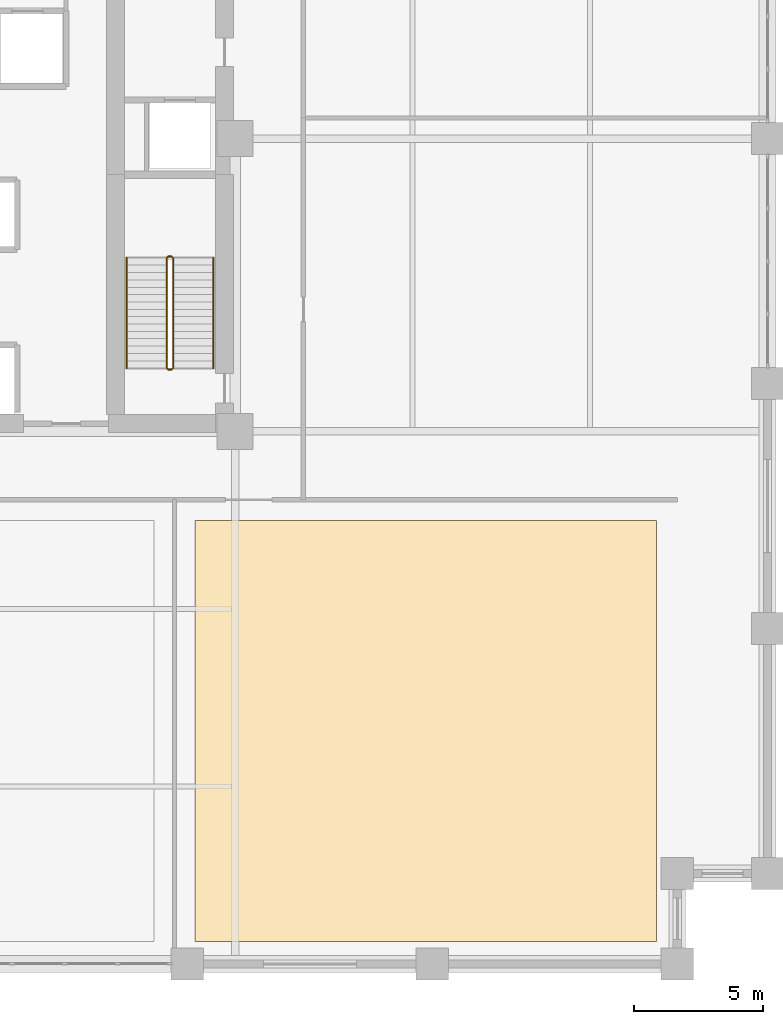
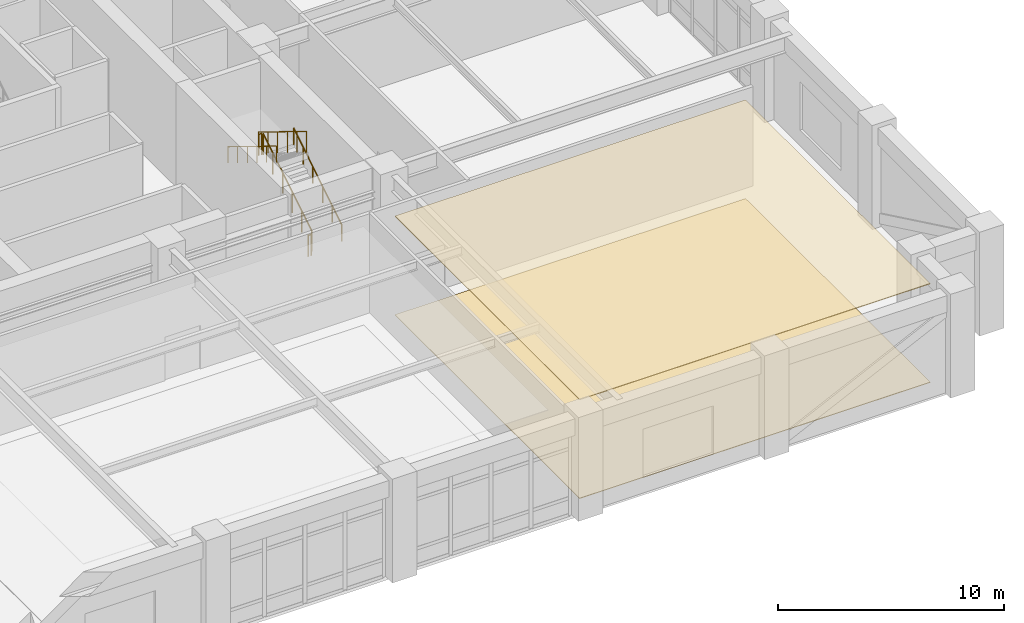
# One storey, part 18 of 21: 6 railings, 2 coverings.
"""IFC4 building model written with IfcOpenShell, lengths in metres."""

from ifc_helpers import new_model, si_unit, direction, frame, origin, origin_2d, place, context, subcontext, project, spatial, polyline, circle, outline, extrude, material, layer, layer_set, type_object, element, save


model = new_model("IFC4")

# Units and contexts
model_context = context("Model", 3, precision=1e-05, world=origin(), true_north=direction((0.0, 1.0)))
body_context = subcontext(model_context, "Body", "Model", "MODEL_VIEW")
ifc_project = project(units=[si_unit("LENGTHUNIT", "METRE"), si_unit("AREAUNIT", "SQUARE_METRE"), si_unit("VOLUMEUNIT", "CUBIC_METRE"), si_unit("PLANEANGLEUNIT", "RADIAN"), si_unit("MASSUNIT", "GRAM", prefix="KILO")], contexts=[model_context])

# Site, building, storey
site_placement = place(None, origin())
site = spatial("IfcSite", under=ifc_project, at=site_placement, CompositionType="ELEMENT")
building_placement = place(site_placement, origin())
building = spatial("IfcBuilding", under=site, at=building_placement, Name="Nhamokura Convention Tower", CompositionType="ELEMENT")
storey_placement = place(building_placement, frame((0.0, 0.0, 12.25)))
storey = spatial("IfcBuildingStorey", under=building, at=storey_placement, Name="L02", CompositionType="ELEMENT", Elevation=12.25)

# Coverings
ifc_material_1 = material(Name="Anodised bronze aluminium ceiling baffle", Category="aluminium")
ifc_layer_1 = layer(ifc_material_1, 0.0400390625)
ifc_layer_set_1 = layer_set([ifc_layer_1], Name="BronzeBaffleCeiling_40")
covering_type_1 = type_object("IfcCoveringType", Name="BronzeBaffleCeiling_40", PredefinedType="CEILING", material=ifc_layer_set_1)
covering_1_placement = place(storey_placement, frame((0.0, 0.0, 5.320068359375)))
element("IfcCovering", 1, at=covering_1_placement, inside=storey, type_object=covering_type_1, Name="L02 Suspended Ceiling 04", PredefinedType="CEILING", context=body_context, shape_type="SweptSolid", body=[
    extrude(outline(polyline([(41.800048828125, 0.860107421875), (59.699951171875, 0.860107421875), (59.699951171875, 17.199951171875), (41.800048828125, 17.199951171875), (41.800048828125, 0.860107421875)])), origin(), (0.0, 0.0, 1.0), 0.0400390625),
])
ifc_material_2 = material(Name="Polished Sabana granite terrazzo", Category="masonry")
ifc_layer_2 = layer(ifc_material_2, 0.030029296875)
ifc_layer_set_2 = layer_set([ifc_layer_2], Name="SabanaTerrazzoFlooring_30")
covering_type_2 = type_object("IfcCoveringType", Name="SabanaTerrazzoFlooring_30", PredefinedType="FLOORING", material=ifc_layer_set_2)
covering_2_placement = place(storey_placement, origin())
element("IfcCovering", 2, at=covering_2_placement, inside=storey, type_object=covering_type_2, Name="L02 Finish Flooring 04", PredefinedType="FLOORING", context=body_context, shape_type="SweptSolid", body=[
    extrude(outline(polyline([(41.800048828125, 0.860107421875), (59.699951171875, 0.860107421875), (59.699951171875, 17.199951171875), (41.800048828125, 17.199951171875), (41.800048828125, 0.860107421875)])), origin(), (0.0, 0.0, 1.0), 0.030029296875),
])

# Railings
ifc_material_3 = material(Name="Anodised bronze stainless steel", Category="steel")
railing_type_1 = type_object("IfcRailingType", Name="StairWallHandrail_900", PredefinedType="HANDRAIL", material=ifc_material_3)
railing_1_placement = place(storey_placement, frame((42.5, 23.10009765625, 0.175048828125)))
element("IfcRailing", 3, at=railing_1_placement, inside=storey, type_object=railing_type_1, Name="L02 ST-02 stair handrail 1", PredefinedType="HANDRAIL", context=body_context, shape_type="SweptSolid", body=[
    extrude(circle(Radius=0.02392578125, at=origin_2d()), frame((0.0, 0.0, 0.8759765625), z_axis=(0.0, 0.852165895541, 0.523271713813), x_axis=(-1.0, 0.0, 0.0)), (0.0, 0.0, 1.0), 5.0166015625),
    extrude(circle(Radius=0.02099609375, at=origin_2d()), origin(), (0.0, 0.0, 1.0), 0.851806640625),
    extrude(circle(Radius=0.02099609375, at=origin_2d()), frame((0.0, 0.85498046875, 0.52490234375)), (0.0, 0.0, 1.0), 0.851806640625),
    extrude(circle(Radius=0.02099609375, at=origin_2d()), frame((0.0, 1.7099609375, 1.050048828125)), (0.0, 0.0, 1.0), 0.851806640625),
    extrude(circle(Radius=0.02099609375, at=origin_2d()), frame((0.0, 2.56494140625, 1.574951171875)), (0.0, 0.0, 1.0), 0.851806640625),
    extrude(circle(Radius=0.02099609375, at=origin_2d()), frame((0.0, 3.419921875, 2.10009765625)), (0.0, 0.0, 1.0), 0.851806640625),
    extrude(circle(Radius=0.02099609375, at=origin_2d()), frame((0.0, 4.27490234375, 2.625)), (0.0, 0.0, 1.0), 0.851806640625),
])
railing_2_placement = place(storey_placement, frame((39.14990234375, 27.375, 2.97509765625)))
element("IfcRailing", 4, at=railing_2_placement, inside=storey, type_object=railing_type_1, Name="L02 ST-02 stair handrail 2", PredefinedType="HANDRAIL", context=body_context, shape_type="SweptSolid", body=[
    extrude(circle(Radius=0.02392578125, at=origin_2d()), frame((0.0, 0.0, 0.8759765625), z_axis=(0.0, -0.852165895541, 0.523271713813), x_axis=(1.0, 0.0, 0.0)), (0.0, 0.0, 1.0), 5.0166015625),
    extrude(circle(Radius=0.02099609375, at=origin_2d()), origin(), (0.0, 0.0, 1.0), 0.851806640625),
    extrude(circle(Radius=0.02099609375, at=origin_2d()), frame((0.0, -0.85498046875, 0.52490234375)), (0.0, 0.0, 1.0), 0.851806640625),
    extrude(circle(Radius=0.02099609375, at=origin_2d()), frame((0.0, -1.7099609375, 1.050048828125)), (0.0, 0.0, 1.0), 0.851806640625),
    extrude(circle(Radius=0.02099609375, at=origin_2d()), frame((0.0, -2.56494140625, 1.574951171875)), (0.0, 0.0, 1.0), 0.851806640625),
    extrude(circle(Radius=0.02099609375, at=origin_2d()), frame((0.0, -3.419921875, 2.10009765625)), (0.0, 0.0, 1.0), 0.851806640625),
    extrude(circle(Radius=0.02099609375, at=origin_2d()), frame((0.0, -4.27490234375, 2.625)), (0.0, 0.0, 1.0), 0.851806640625),
])
ifc_material_4 = material(Name="Painted tubular steel", Category="steel")
railing_type_2 = type_object("IfcRailingType", Name="StairWellGuardrail_1150", PredefinedType="GUARDRAIL", material=ifc_material_4)
railing_3_placement = place(storey_placement, frame((40.949951171875, 23.10009765625, 0.175048828125)))
element("IfcRailing", 5, at=railing_3_placement, inside=storey, type_object=railing_type_2, Name="L02 ST-02 stair guard 1", PredefinedType="GUARDRAIL", context=body_context, shape_type="SweptSolid", body=[
    extrude(circle(Radius=0.02392578125, at=origin_2d()), frame((0.0, 0.0, 1.1259765625), z_axis=(0.0, 0.852165895541, 0.523271713813), x_axis=(-1.0, 0.0, 0.0)), (0.0, 0.0, 1.0), 5.0166015625),
    extrude(circle(Radius=0.02099609375, at=origin_2d()), origin(), (0.0, 0.0, 1.0), 1.101806640625),
    extrude(circle(Radius=0.02099609375, at=origin_2d()), frame((0.0, 0.85498046875, 0.52490234375)), (0.0, 0.0, 1.0), 1.101806640625),
    extrude(circle(Radius=0.02099609375, at=origin_2d()), frame((0.0, 1.7099609375, 1.050048828125)), (0.0, 0.0, 1.0), 1.101806640625),
    extrude(circle(Radius=0.02099609375, at=origin_2d()), frame((0.0, 2.56494140625, 1.574951171875)), (0.0, 0.0, 1.0), 1.101806640625),
    extrude(circle(Radius=0.02099609375, at=origin_2d()), frame((0.0, 3.419921875, 2.10009765625)), (0.0, 0.0, 1.0), 1.101806640625),
    extrude(circle(Radius=0.02099609375, at=origin_2d()), frame((0.0, 4.27490234375, 2.625)), (0.0, 0.0, 1.0), 1.101806640625),
])
railing_4_placement = place(storey_placement, frame((40.89990234375, 27.425048828125, 2.800048828125)))
element("IfcRailing", 6, at=railing_4_placement, inside=storey, type_object=railing_type_2, Name="L02 ST-02 stair guard 2", PredefinedType="GUARDRAIL", context=body_context, shape_type="SweptSolid", body=[
    extrude(circle(Radius=0.02392578125, at=origin_2d()), frame((0.0, 0.0, 1.1259765625), z_axis=(-1.0, 0.0, 0.0), x_axis=(0.0, -1.0, 0.0)), (0.0, 0.0, 1.0), 0.14990234375),
    extrude(circle(Radius=0.02099609375, at=origin_2d()), origin(), (0.0, 0.0, 1.0), 1.101806640625),
    extrude(circle(Radius=0.02099609375, at=origin_2d()), frame((-0.14990234375, 0.0, 0.0)), (0.0, 0.0, 1.0), 1.101806640625),
])
railing_5_placement = place(storey_placement, frame((40.699951171875, 27.375, 2.97509765625)))
element("IfcRailing", 7, at=railing_5_placement, inside=storey, type_object=railing_type_2, Name="L02 ST-02 stair guard 3", PredefinedType="GUARDRAIL", context=body_context, shape_type="SweptSolid", body=[
    extrude(circle(Radius=0.02392578125, at=origin_2d()), frame((0.0, 0.0, 1.1259765625), z_axis=(0.0, -0.852165895541, 0.523271713813), x_axis=(1.0, 0.0, 0.0)), (0.0, 0.0, 1.0), 5.0166015625),
    extrude(circle(Radius=0.02099609375, at=origin_2d()), origin(), (0.0, 0.0, 1.0), 1.101806640625),
    extrude(circle(Radius=0.02099609375, at=origin_2d()), frame((0.0, -0.85498046875, 0.52490234375)), (0.0, 0.0, 1.0), 1.101806640625),
    extrude(circle(Radius=0.02099609375, at=origin_2d()), frame((0.0, -1.7099609375, 1.050048828125)), (0.0, 0.0, 1.0), 1.101806640625),
    extrude(circle(Radius=0.02099609375, at=origin_2d()), frame((0.0, -2.56494140625, 1.574951171875)), (0.0, 0.0, 1.0), 1.101806640625),
    extrude(circle(Radius=0.02099609375, at=origin_2d()), frame((0.0, -3.419921875, 2.10009765625)), (0.0, 0.0, 1.0), 1.101806640625),
    extrude(circle(Radius=0.02099609375, at=origin_2d()), frame((0.0, -4.27490234375, 2.625)), (0.0, 0.0, 1.0), 1.101806640625),
])
railing_6_placement = place(storey_placement, frame((40.89990234375, 23.050048828125, 0.0)))
element("IfcRailing", 8, at=railing_6_placement, inside=storey, type_object=railing_type_2, Name="L02 ST-02 stair guard 4", PredefinedType="GUARDRAIL", context=body_context, shape_type="SweptSolid", body=[
    extrude(circle(Radius=0.02392578125, at=origin_2d()), frame((0.0, 0.0, 1.1259765625), z_axis=(-1.0, 0.0, 0.0), x_axis=(0.0, -1.0, 0.0)), (0.0, 0.0, 1.0), 0.14990234375),
    extrude(circle(Radius=0.02099609375, at=origin_2d()), origin(), (0.0, 0.0, 1.0), 1.101806640625),
    extrude(circle(Radius=0.02099609375, at=origin_2d()), frame((-0.14990234375, 0.0, 0.0)), (0.0, 0.0, 1.0), 1.101806640625),
])

save(model, "model.ifc")
